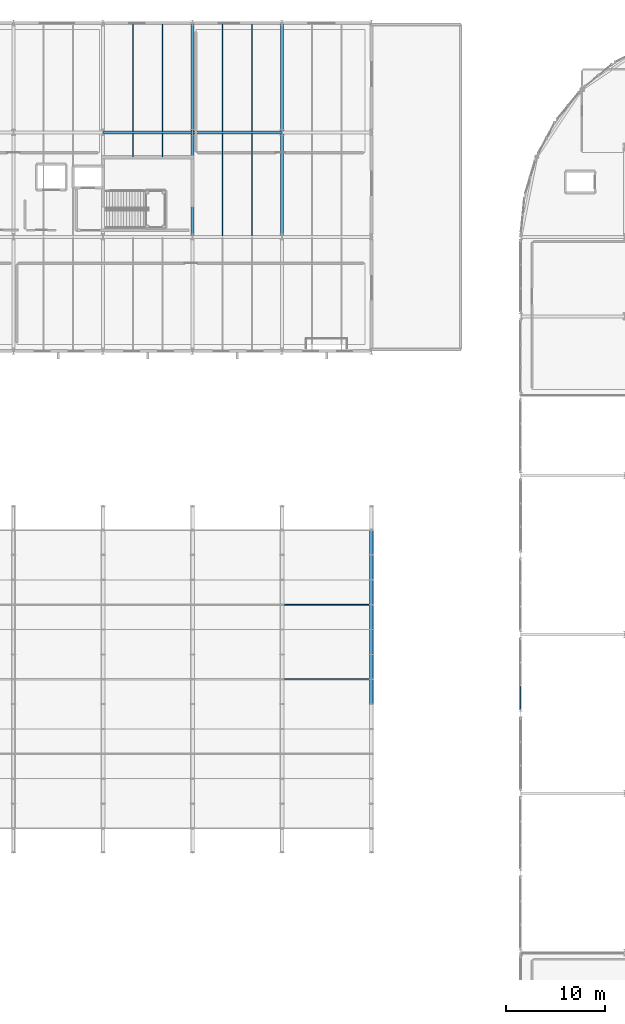
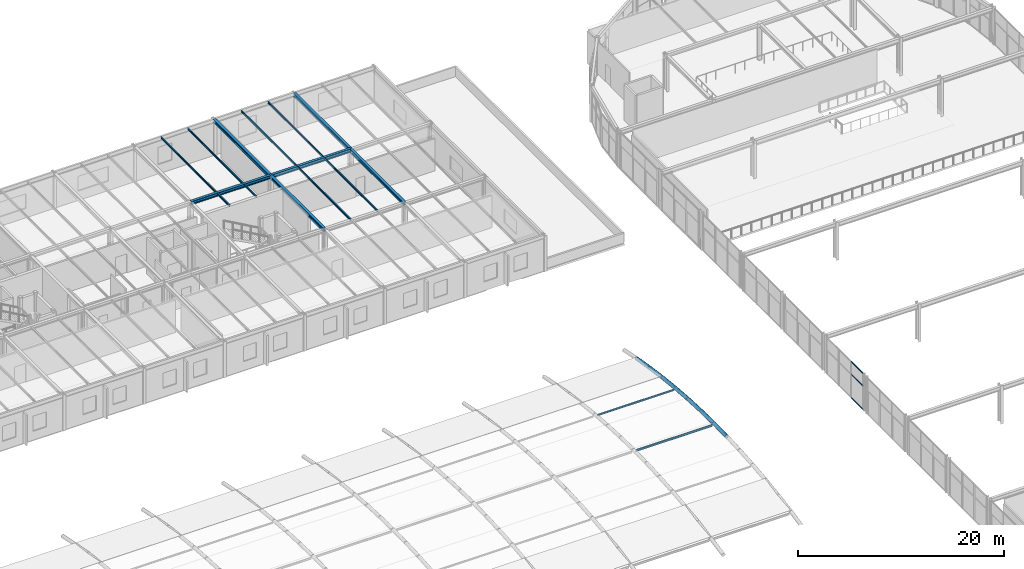
# One storey, part 27 of 105: 14 beams, 12 members, 1 element without a shape of its own.
"""IFC4 building model written with IfcOpenShell, lengths in metres."""

from ifc_helpers import new_model, si_unit, direction, frame, origin, origin_2d, place, context, subcontext, project, spatial, hollow_rectangle, hollow_circle, i_section, extrude, material, layer, layer_set, material_profile, profile_set, type_object, element, aggregate, save


model = new_model("IFC4")

# Units and contexts
model_context = context("Model", 3, precision=1e-05, world=origin(), true_north=direction((0.0, 1.0)))
body_context = subcontext(model_context, "Body", "Model", "MODEL_VIEW")
ifc_project = project(units=[si_unit("LENGTHUNIT", "METRE"), si_unit("AREAUNIT", "SQUARE_METRE"), si_unit("VOLUMEUNIT", "CUBIC_METRE"), si_unit("PLANEANGLEUNIT", "RADIAN"), si_unit("MASSUNIT", "GRAM", prefix="KILO")], contexts=[model_context])

# Site, building, storey
site_placement = place(None, origin())
site = spatial("IfcSite", under=ifc_project, at=site_placement, CompositionType="ELEMENT")
building_placement = place(site_placement, origin())
building = spatial("IfcBuilding", under=site, at=building_placement, Name="Marlcrest Central Station", CompositionType="ELEMENT")
storey_placement = place(building_placement, frame((0.0, 0.0, 15.0)))
storey = spatial("IfcBuildingStorey", under=building, at=storey_placement, Name="L03", CompositionType="ELEMENT", Elevation=15.0)

# Members
ifc_material_1 = material(Name="Steel S355", Category="steel")
ifc_material_profile_1 = material_profile(ifc_material_1, hollow_circle(Radius=0.203125, WallThickness=0.02001953125, at=origin_2d()), Name="CHS 406.4x20")
ifc_profile_set_1 = profile_set([ifc_material_profile_1], Name="Steel S355")
member_type_1 = type_object("IfcMemberType", Name="AC-01", PredefinedType="CHORD", material=ifc_profile_set_1)
for number, where, z_axis, x_axis, name in (
    (1, (72.0, 63.5, 1.76123046875), (0.0, 0.999879472592, 0.01552547228), (-1.0, 0.0, 0.0), "mem-AC-01-L03-01035"),
    (2, (72.0, 66.0, 1.800048828125), (0.0, 0.999879472592, -0.01552547228), (-1.0, 0.0, 0.0), "mem-AC-01-L03-01039"),
):
    element("IfcMember", number, at=place(storey_placement, frame(where, z_axis=z_axis, x_axis=x_axis)), inside=storey, type_object=member_type_1, Name=name, PredefinedType="CHORD", context=body_context, shape_type="SweptSolid", body=[
        extrude(hollow_circle(Radius=0.203125, WallThickness=0.02001953125, at=origin_2d()), origin(), (0.0, 0.0, 1.0), 2.500244140625),
    ])
member_1_placement = place(storey_placement, frame((72.0, 68.5, 1.76123046875), z_axis=(0.0, 0.998921349185, -0.046434234591), x_axis=(-1.0, 0.0, 0.0)))
element("IfcMember", 3, at=member_1_placement, inside=storey, type_object=member_type_1, Name="mem-AC-01-L03-01043", PredefinedType="CHORD", context=body_context, shape_type="SweptSolid", body=[
    extrude(hollow_circle(Radius=0.203125, WallThickness=0.02001953125, at=origin_2d()), origin(), (0.0, 0.0, 1.0), 2.502685546875),
])
member_2_placement = place(storey_placement, frame((72.0, 71.0, 1.64501953125), z_axis=(0.0, 0.996999825732, -0.077403795064), x_axis=(-1.0, 0.0, 0.0)))
element("IfcMember", 4, at=member_2_placement, inside=storey, type_object=member_type_1, Name="mem-AC-01-L03-01047", PredefinedType="CHORD", context=body_context, shape_type="SweptSolid", body=[
    extrude(hollow_circle(Radius=0.203125, WallThickness=0.02001953125, at=origin_2d()), origin(), (0.0, 0.0, 1.0), 2.507568359375),
])
member_3_placement = place(storey_placement, frame((72.0, 73.5, 1.450927734375), z_axis=(0.0, 0.994155341034, -0.107959056565), x_axis=(-1.0, 0.0, 0.0)))
element("IfcMember", 5, at=member_3_placement, inside=storey, type_object=member_type_1, Name="mem-AC-01-L03-01051", PredefinedType="CHORD", context=body_context, shape_type="SweptSolid", body=[
    extrude(hollow_circle(Radius=0.203125, WallThickness=0.02001953125, at=origin_2d()), origin(), (0.0, 0.0, 1.0), 2.5146484375),
])
member_4_placement = place(storey_placement, frame((72.0, 76.0, 1.179443359375), z_axis=(0.0, 0.990402740232, -0.138211476152), x_axis=(-1.0, 0.0, 0.0)))
element("IfcMember", 6, at=member_4_placement, inside=storey, type_object=member_type_1, Name="mem-AC-01-L03-01055", PredefinedType="CHORD", context=body_context, shape_type="SweptSolid", body=[
    extrude(hollow_circle(Radius=0.203125, WallThickness=0.02001953125, at=origin_2d()), origin(), (0.0, 0.0, 1.0), 2.524169921875),
])
member_5_placement = place(storey_placement, frame((72.0, 78.5, 0.83056640625), z_axis=(0.0, 0.98574109921, -0.168269086076), x_axis=(-1.0, 0.0, 0.0)))
element("IfcMember", 7, at=member_5_placement, inside=storey, type_object=member_type_1, Name="mem-AC-01-L03-01059", PredefinedType="CHORD", context=body_context, shape_type="SweptSolid", body=[
    extrude(hollow_circle(Radius=0.203125, WallThickness=0.02001953125, at=origin_2d()), origin(), (0.0, 0.0, 1.0), 2.5361328125),
])

# Beams
ifc_material_profile_2 = material_profile(ifc_material_1, i_section(OverallWidth=0.300048828125, OverallDepth=0.389892578125, WebThickness=0.010986328125, FlangeThickness=0.01904296875, FilletRadius=0.027099609375, at=origin_2d()), Name="HEA 400")
ifc_profile_set_2 = profile_set([ifc_material_profile_2], Name="Steel S355")
beam_type_1 = type_object("IfcBeamType", Name="BM-08", PredefinedType="BEAM", material=ifc_profile_set_2)
for number, where, z_axis, x_axis, name in (
    (8, (45.050048828125, 121.0, 4.090087890625), (1.0, 0.0, 0.0), (0.0, 1.0, 0.0), "bm-BM-08-L03-00489"),
    (9, (54.050048828125, 121.0, 4.090087890625), (1.0, 0.0, 0.0), (0.0, 1.0, 0.0), "bm-BM-08-L03-00490"),
):
    element("IfcBeam", number, at=place(storey_placement, frame(where, z_axis=z_axis, x_axis=x_axis)), inside=storey, type_object=beam_type_1, Name=name, PredefinedType="BEAM", context=body_context, shape_type="SweptSolid", body=[
        extrude(i_section(OverallWidth=0.300048828125, OverallDepth=0.389892578125, WebThickness=0.010986328125, FlangeThickness=0.01904296875, FilletRadius=0.027099609375, at=origin_2d()), origin(), (0.0, 0.0, 1.0), 8.89990234375),
    ])
beam_1_placement = place(storey_placement, frame((54.0, 110.550048828125, 4.090087890625), z_axis=(0.0, 1.0, 0.0), x_axis=(-1.0, 0.0, 0.0)))
element("IfcBeam", 10, at=beam_1_placement, inside=storey, type_object=beam_type_1, Name="bm-BM-08-L03-00519", PredefinedType="BEAM", context=body_context, shape_type="SweptSolid", body=[
    extrude(i_section(OverallWidth=0.300048828125, OverallDepth=0.389892578125, WebThickness=0.010986328125, FlangeThickness=0.01904296875, FilletRadius=0.027099609375, at=origin_2d()), origin(), (0.0, 0.0, 1.0), 10.39990234375),
])
beam_2_placement = place(storey_placement, frame((54.0, 121.050048828125, 4.090087890625), z_axis=(0.0, 1.0, 0.0), x_axis=(-1.0, 0.0, 0.0)))
element("IfcBeam", 11, at=beam_2_placement, inside=storey, type_object=beam_type_1, Name="bm-BM-08-L03-00520", PredefinedType="BEAM", context=body_context, shape_type="SweptSolid", body=[
    extrude(i_section(OverallWidth=0.300048828125, OverallDepth=0.389892578125, WebThickness=0.010986328125, FlangeThickness=0.01904296875, FilletRadius=0.027099609375, at=origin_2d()), origin(), (0.0, 0.0, 1.0), 10.89990234375),
])
beam_3_placement = place(storey_placement, frame((63.0, 110.550048828125, 4.0400390625), z_axis=(0.0, 1.0, 0.0), x_axis=(-1.0, 0.0, 0.0)))
element("IfcBeam", 12, at=beam_3_placement, inside=storey, type_object=beam_type_1, Name="bm-BM-08-L03-00522", PredefinedType="BEAM", context=body_context, shape_type="SweptSolid", body=[
    extrude(i_section(OverallWidth=0.300048828125, OverallDepth=0.389892578125, WebThickness=0.010986328125, FlangeThickness=0.01904296875, FilletRadius=0.027099609375, at=origin_2d()), origin(), (0.0, 0.0, 1.0), 10.39990234375),
])
beam_4_placement = place(storey_placement, frame((63.0, 121.050048828125, 4.0400390625), z_axis=(0.0, 1.0, 0.0), x_axis=(-1.0, 0.0, 0.0)))
element("IfcBeam", 13, at=beam_4_placement, inside=storey, type_object=beam_type_1, Name="bm-BM-08-L03-00523", PredefinedType="BEAM", context=body_context, shape_type="SweptSolid", body=[
    extrude(i_section(OverallWidth=0.300048828125, OverallDepth=0.389892578125, WebThickness=0.010986328125, FlangeThickness=0.01904296875, FilletRadius=0.027099609375, at=origin_2d()), origin(), (0.0, 0.0, 1.0), 10.89990234375),
])
ifc_material_profile_3 = material_profile(ifc_material_1, i_section(OverallWidth=0.110107421875, OverallDepth=0.219970703125, WebThickness=0.005859375, FlangeThickness=0.00927734375, FilletRadius=0.011962890625, at=origin_2d()), Name="IPE 220")
ifc_profile_set_3 = profile_set([ifc_material_profile_3], Name="Steel S355")
beam_type_2 = type_object("IfcBeamType", Name="JS-02", PredefinedType="JOIST", material=ifc_profile_set_3)
beam_5_placement = place(storey_placement, frame((48.0, 118.52001953125, 4.175048828125), z_axis=(0.0, 1.0, 0.0), x_axis=(-1.0, 0.0, 0.0)))
element("IfcBeam", 14, at=beam_5_placement, inside=storey, type_object=beam_type_2, Name="bm-JS-02-L03-00558", PredefinedType="JOIST", context=body_context, shape_type="SweptSolid", body=[
    extrude(i_section(OverallWidth=0.110107421875, OverallDepth=0.219970703125, WebThickness=0.005859375, FlangeThickness=0.00927734375, FilletRadius=0.011962890625, at=origin_2d()), origin(), (0.0, 0.0, 1.0), 2.385009765625),
])
beam_6_placement = place(storey_placement, frame((48.0, 121.094970703125, 4.175048828125), z_axis=(0.0, 1.0, 0.0), x_axis=(-1.0, 0.0, 0.0)))
element("IfcBeam", 15, at=beam_6_placement, inside=storey, type_object=beam_type_2, Name="bm-JS-02-L03-00559", PredefinedType="JOIST", context=body_context, shape_type="SweptSolid", body=[
    extrude(i_section(OverallWidth=0.110107421875, OverallDepth=0.219970703125, WebThickness=0.005859375, FlangeThickness=0.00927734375, FilletRadius=0.011962890625, at=origin_2d()), origin(), (0.0, 0.0, 1.0), 10.81005859375),
])
beam_7_placement = place(storey_placement, frame((51.0, 118.52001953125, 4.175048828125), z_axis=(0.0, 1.0, 0.0), x_axis=(-1.0, 0.0, 0.0)))
element("IfcBeam", 16, at=beam_7_placement, inside=storey, type_object=beam_type_2, Name="bm-JS-02-L03-00561", PredefinedType="JOIST", context=body_context, shape_type="SweptSolid", body=[
    extrude(i_section(OverallWidth=0.110107421875, OverallDepth=0.219970703125, WebThickness=0.005859375, FlangeThickness=0.00927734375, FilletRadius=0.011962890625, at=origin_2d()), origin(), (0.0, 0.0, 1.0), 2.385009765625),
])
beam_8_placement = place(storey_placement, frame((51.0, 121.094970703125, 4.175048828125), z_axis=(0.0, 1.0, 0.0), x_axis=(-1.0, 0.0, 0.0)))
element("IfcBeam", 17, at=beam_8_placement, inside=storey, type_object=beam_type_2, Name="bm-JS-02-L03-00562", PredefinedType="JOIST", context=body_context, shape_type="SweptSolid", body=[
    extrude(i_section(OverallWidth=0.110107421875, OverallDepth=0.219970703125, WebThickness=0.005859375, FlangeThickness=0.00927734375, FilletRadius=0.011962890625, at=origin_2d()), origin(), (0.0, 0.0, 1.0), 10.81005859375),
])
beam_9_placement = place(storey_placement, frame((57.0, 110.594970703125, 4.175048828125), z_axis=(0.0, 1.0, 0.0), x_axis=(-1.0, 0.0, 0.0)))
element("IfcBeam", 18, at=beam_9_placement, inside=storey, type_object=beam_type_2, Name="bm-JS-02-L03-00564", PredefinedType="JOIST", context=body_context, shape_type="SweptSolid", body=[
    extrude(i_section(OverallWidth=0.110107421875, OverallDepth=0.219970703125, WebThickness=0.005859375, FlangeThickness=0.00927734375, FilletRadius=0.011962890625, at=origin_2d()), origin(), (0.0, 0.0, 1.0), 10.31005859375),
])
beam_10_placement = place(storey_placement, frame((57.0, 121.094970703125, 4.175048828125), z_axis=(0.0, 1.0, 0.0), x_axis=(-1.0, 0.0, 0.0)))
element("IfcBeam", 19, at=beam_10_placement, inside=storey, type_object=beam_type_2, Name="bm-JS-02-L03-00565", PredefinedType="JOIST", context=body_context, shape_type="SweptSolid", body=[
    extrude(i_section(OverallWidth=0.110107421875, OverallDepth=0.219970703125, WebThickness=0.005859375, FlangeThickness=0.00927734375, FilletRadius=0.011962890625, at=origin_2d()), origin(), (0.0, 0.0, 1.0), 10.81005859375),
])
beam_11_placement = place(storey_placement, frame((60.0, 110.594970703125, 4.175048828125), z_axis=(0.0, 1.0, 0.0), x_axis=(-1.0, 0.0, 0.0)))
element("IfcBeam", 20, at=beam_11_placement, inside=storey, type_object=beam_type_2, Name="bm-JS-02-L03-00567", PredefinedType="JOIST", context=body_context, shape_type="SweptSolid", body=[
    extrude(i_section(OverallWidth=0.110107421875, OverallDepth=0.219970703125, WebThickness=0.005859375, FlangeThickness=0.00927734375, FilletRadius=0.011962890625, at=origin_2d()), origin(), (0.0, 0.0, 1.0), 10.31005859375),
])
beam_12_placement = place(storey_placement, frame((60.0, 121.094970703125, 4.175048828125), z_axis=(0.0, 1.0, 0.0), x_axis=(-1.0, 0.0, 0.0)))
element("IfcBeam", 21, at=beam_12_placement, inside=storey, type_object=beam_type_2, Name="bm-JS-02-L03-00568", PredefinedType="JOIST", context=body_context, shape_type="SweptSolid", body=[
    extrude(i_section(OverallWidth=0.110107421875, OverallDepth=0.219970703125, WebThickness=0.005859375, FlangeThickness=0.00927734375, FilletRadius=0.011962890625, at=origin_2d()), origin(), (0.0, 0.0, 1.0), 10.81005859375),
])

# Members
ifc_material_profile_4 = material_profile(ifc_material_1, i_section(OverallWidth=0.10009765625, OverallDepth=0.199951171875, WebThickness=0.005615234375, FlangeThickness=0.008544921875, FilletRadius=0.011962890625, at=origin_2d()), Name="IPE 200")
ifc_profile_set_4 = profile_set([ifc_material_profile_4], Name="Steel S355")
member_type_2 = type_object("IfcMemberType", Name="PR-01", PredefinedType="PURLIN", material=ifc_profile_set_4)
member_6_placement = place(storey_placement, frame((63.179931640625, 73.5, 1.31103515625), z_axis=(1.0, 0.0, 0.0), x_axis=(0.0, 1.0, 0.0)))
element("IfcMember", 22, at=member_6_placement, inside=storey, type_object=member_type_2, Name="mem-PR-01-L03-00982", PredefinedType="PURLIN", context=body_context, shape_type="SweptSolid", body=[
    extrude(i_section(OverallWidth=0.10009765625, OverallDepth=0.199951171875, WebThickness=0.005615234375, FlangeThickness=0.008544921875, FilletRadius=0.011962890625, at=origin_2d()), origin(), (0.0, 0.0, 1.0), 8.64013671875),
])
ifc_material_profile_5 = material_profile(ifc_material_1, i_section(OverallWidth=0.1201171875, OverallDepth=0.239990234375, WebThickness=0.006103515625, FlangeThickness=0.009765625, FilletRadius=0.014892578125, at=origin_2d()), Name="IPE 240")
ifc_profile_set_5 = profile_set([ifc_material_profile_5], Name="Steel S355")
member_type_3 = type_object("IfcMemberType", Name="PR-02", PredefinedType="PURLIN", material=ifc_profile_set_5)
member_7_placement = place(storey_placement, frame((63.179931640625, 66.0, 1.659912109375), z_axis=(1.0, 0.0, 0.0), x_axis=(0.0, 1.0, 0.0)))
element("IfcMember", 23, at=member_7_placement, inside=storey, type_object=member_type_3, Name="mem-PR-02-L03-00981", PredefinedType="PURLIN", context=body_context, shape_type="SweptSolid", body=[
    extrude(i_section(OverallWidth=0.1201171875, OverallDepth=0.239990234375, WebThickness=0.006103515625, FlangeThickness=0.009765625, FilletRadius=0.014892578125, at=origin_2d()), origin(), (0.0, 0.0, 1.0), 8.64013671875),
])

# Curtain wall, members
ifc_material_2 = material(Name="Anodised aluminium and hurricane laminated glass", Category="aluminium")
ifc_layer = layer(ifc_material_2, 0.219970703125, Name="CW-U1")
ifc_layer_set = layer_set([ifc_layer], Name="Anodised aluminium and hurricane laminated glass")
curtain_wall_type = type_object("IfcCurtainWallType", Name="CW-U1", PredefinedType="USERDEFINED", material=ifc_layer_set)
curtain_wall_placement = place(storey_placement, origin())
curtain_wall = element("IfcCurtainWall", 24, at=curtain_wall_placement, inside=storey, type_object=curtain_wall_type, Name="cw-L03-0121", ObjectType="UNITISED_CURTAIN_WALL", PredefinedType="USERDEFINED")
ifc_material_3 = material(Name="Anodised aluminium 6063-T6", Category="aluminium")
ifc_material_profile_6 = material_profile(ifc_material_3, hollow_rectangle(XDim=0.06005859375, YDim=0.14990234375, WallThickness=0.00390625, at=origin_2d()), Name="AA-RHS 150x60x4")
ifc_profile_set_6 = profile_set([ifc_material_profile_6], Name="Anodised aluminium 6063-T6")
member_type_4 = type_object("IfcMemberType", Name="TR-01", PredefinedType="USERDEFINED", material=ifc_profile_set_6)
member_8_placement = place(storey_placement, frame((87.0, 62.988037109375, 0.0400390625), z_axis=(0.0, 1.0, 0.0), x_axis=(-1.0, 0.0, 0.0)))
member_8 = element("IfcMember", 25, at=member_8_placement, type_object=member_type_4, Name="cw-L03-0121-tr-0-sill", ObjectType="TRANSOM", PredefinedType="USERDEFINED", context=body_context, shape_type="SweptSolid", body=[
    extrude(hollow_rectangle(XDim=0.06005859375, YDim=0.14990234375, WallThickness=0.00390625, at=origin_2d()), origin(), (0.0, 0.0, 1.0), 2.290771484375),
])
member_9_placement = place(storey_placement, frame((87.0, 62.988037109375, 2.827880859375), z_axis=(0.0, 1.0, 0.0), x_axis=(-1.0, 0.0, 0.0)))
member_9 = element("IfcMember", 26, at=member_9_placement, type_object=member_type_4, Name="cw-L03-0121-tr-0-mid", ObjectType="TRANSOM", PredefinedType="USERDEFINED", context=body_context, shape_type="SweptSolid", body=[
    extrude(hollow_rectangle(XDim=0.06005859375, YDim=0.14990234375, WallThickness=0.00390625, at=origin_2d()), origin(), (0.0, 0.0, 1.0), 2.290771484375),
])
member_10_placement = place(storey_placement, frame((87.0, 62.988037109375, 4.31005859375), z_axis=(0.0, 1.0, 0.0), x_axis=(-1.0, 0.0, 0.0)))
member_10 = element("IfcMember", 27, at=member_10_placement, type_object=member_type_4, Name="cw-L03-0121-tr-0-head", ObjectType="TRANSOM", PredefinedType="USERDEFINED", context=body_context, shape_type="SweptSolid", body=[
    extrude(hollow_rectangle(XDim=0.06005859375, YDim=0.14990234375, WallThickness=0.00390625, at=origin_2d()), origin(), (0.0, 0.0, 1.0), 2.290771484375),
])
aggregate(curtain_wall, [member_8, member_9, member_10])

save(model, "model.ifc")
